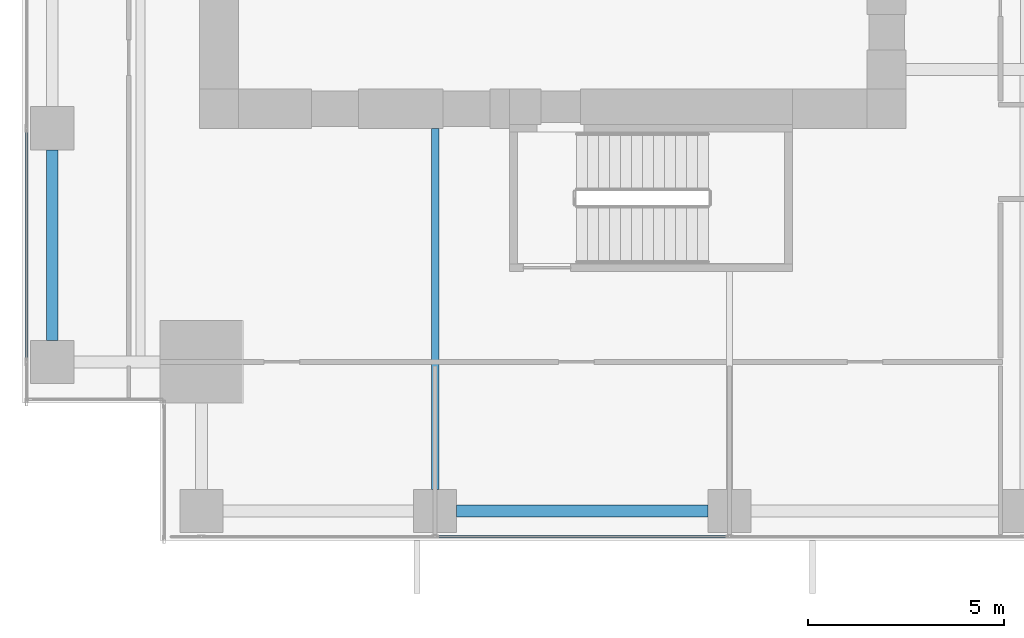
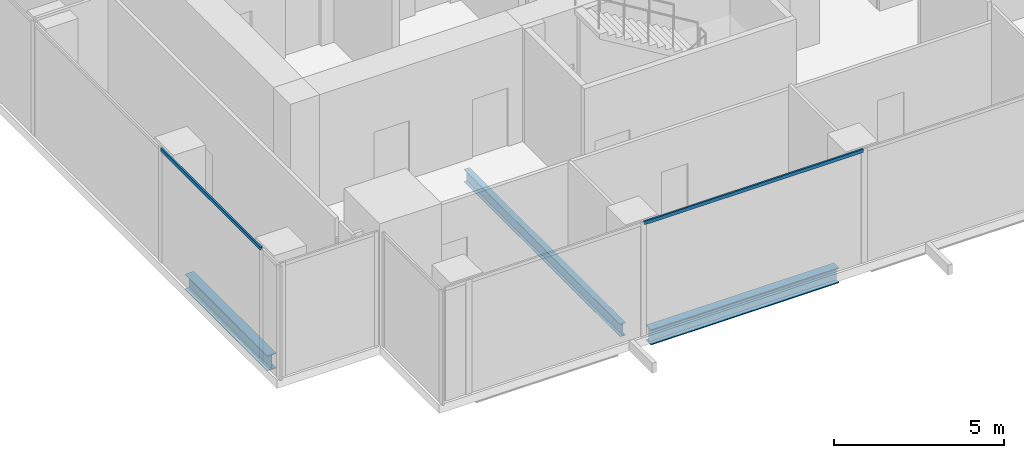
# One storey, part 3 of 34: 3 beams, 2 members, 2 elements without a shape of their own.
"""IFC4 building model written with IfcOpenShell, lengths in metres."""

from ifc_helpers import new_model, si_unit, direction, frame, origin, origin_2d, place, context, subcontext, project, spatial, hollow_rectangle, i_section, extrude, source, transform, mapped, material, material_profile, profile_set, type_object, element, aggregate, save


model = new_model("IFC4")

# Units and contexts
model_context = context("Model", 3, precision=1e-05, world=origin(), true_north=direction((0.0, 1.0)))
body_context = subcontext(model_context, "Body", "Model", "MODEL_VIEW")
ifc_project = project(units=[si_unit("LENGTHUNIT", "METRE"), si_unit("AREAUNIT", "SQUARE_METRE"), si_unit("VOLUMEUNIT", "CUBIC_METRE"), si_unit("PLANEANGLEUNIT", "RADIAN"), si_unit("MASSUNIT", "GRAM", prefix="KILO")], contexts=[model_context])

# Site, building, storey
site_placement = place(None, origin())
site = spatial("IfcSite", under=ifc_project, at=site_placement, CompositionType="ELEMENT")
building_placement = place(site_placement, origin())
building = spatial("IfcBuilding", under=site, at=building_placement, Name="Khomas Fold Tower", CompositionType="ELEMENT")
storey_placement = place(building_placement, frame((0.0, 0.0, 110.300048828125)))
storey = spatial("IfcBuildingStorey", under=building, at=storey_placement, Name="L23", CompositionType="ELEMENT", Elevation=110.300048828125)

# Beams
ifc_material_1 = material(Name="Steel S355", Category="steel")
ifc_material_profile_1 = material_profile(ifc_material_1, i_section(OverallWidth=0.300048828125, OverallDepth=0.550048828125, WebThickness=0.014892578125, FlangeThickness=0.029052734375, at=origin_2d()), Name="HE 550 B")
ifc_profile_set_1 = profile_set([ifc_material_profile_1], Name="Steel S355")
beam_type_1 = type_object("IfcBeamType", Name="HE 550 B spandrel SB2", PredefinedType="SPANDREL", material=ifc_profile_set_1)
shared_shape_1 = source(origin(), body_context, "Body", "SweptSolid", [
    extrude(i_section(OverallWidth=0.300048828125, OverallDepth=0.550048828125, WebThickness=0.014892578125, FlangeThickness=0.029052734375, at=origin_2d()), origin(), (0.0, 0.0, 1.0), 4.849853515625),
])
beam_1_placement = place(storey_placement, frame((2.25, 6.60009765625, -0.574951171875), z_axis=(0.0, 1.0, 0.0), x_axis=(-1.0, 0.0, 0.0)))
element("IfcBeam", 1, at=beam_1_placement, inside=storey, type_object=beam_type_1, Name="SB2", PredefinedType="SPANDREL", context=body_context, shape_type="MappedRepresentation", body=[
    mapped(shared_shape_1, transform((0.0, 0.0, 0.0))),
])
shared_shape_2 = source(origin(), body_context, "Body", "SweptSolid", [
    extrude(i_section(OverallWidth=0.300048828125, OverallDepth=0.550048828125, WebThickness=0.014892578125, FlangeThickness=0.029052734375, at=origin_2d()), origin(), (0.0, 0.0, 1.0), 6.39990234375),
])
beam_2_placement = place(storey_placement, frame((12.550048828125, 2.25, -0.574951171875), z_axis=(1.0, 0.0, 0.0), x_axis=(0.0, 1.0, 0.0)))
element("IfcBeam", 2, at=beam_2_placement, inside=storey, type_object=beam_type_1, Name="SB2", PredefinedType="SPANDREL", context=body_context, shape_type="MappedRepresentation", body=[
    mapped(shared_shape_2, transform((0.0, 0.0, 0.0))),
])
ifc_material_2 = material(Name="Steel S355", Category="steel")
ifc_material_profile_2 = material_profile(ifc_material_2, i_section(OverallWidth=0.18994140625, OverallDepth=0.449951171875, WebThickness=0.009521484375, FlangeThickness=0.0146484375, at=origin_2d()), Name="IPE 450")
ifc_profile_set_2 = profile_set([ifc_material_profile_2], Name="Steel S355")
beam_type_2 = type_object("IfcBeamType", Name="IPE 450 beam JB4", PredefinedType="BEAM", material=ifc_profile_set_2)
shared_shape_3 = source(origin(), body_context, "Body", "SweptSolid", [
    extrude(i_section(OverallWidth=0.18994140625, OverallDepth=0.449951171875, WebThickness=0.009521484375, FlangeThickness=0.0146484375, at=origin_2d()), origin(), (0.0, 0.0, 1.0), 9.199951171875),
])
beam_3_placement = place(storey_placement, frame((12.0, 2.800048828125, -0.525146484375), z_axis=(0.0, 1.0, 0.0), x_axis=(-1.0, 0.0, 0.0)))
element("IfcBeam", 3, at=beam_3_placement, inside=storey, type_object=beam_type_2, Name="JB4", PredefinedType="BEAM", context=body_context, shape_type="MappedRepresentation", body=[
    mapped(shared_shape_3, transform((0.0, 0.0, 0.0))),
])

# Curtain wall, member
ifc_material_3 = material(Name="Aluminium framed double glazing", Category="aluminium")
curtain_wall_type = type_object("IfcCurtainWallType", Name="SK-Unitised clear-glass wall, growing floors CW1", PredefinedType="NOTDEFINED", material=ifc_material_3)
curtain_wall_1_placement = place(storey_placement, origin())
curtain_wall_1 = element("IfcCurtainWall", 4, at=curtain_wall_1_placement, inside=storey, type_object=curtain_wall_type, Name="CW1 run L23 00-0", PredefinedType="NOTDEFINED")
ifc_material_4 = material(Name="Aluminium", Category="aluminium")
ifc_material_profile_3 = material_profile(ifc_material_4, hollow_rectangle(XDim=0.06005859375, YDim=0.1201171875, WallThickness=0.00390625, at=origin_2d()), Name="SK-Unitised clear-glass wall, growing floors transom CW1-T")
ifc_profile_set_3 = profile_set([ifc_material_profile_3], Name="Aluminium")
member_type = type_object("IfcMemberType", Name="SK-Unitised clear-glass wall, growing floors transom CW1-T", PredefinedType="USERDEFINED", material=ifc_profile_set_3)
shared_shape_4 = source(origin(), body_context, "Body", "SweptSolid", [
    extrude(hollow_rectangle(XDim=0.06005859375, YDim=0.1201171875, WallThickness=0.00390625, at=origin_2d()), origin(), (0.0, 0.0, 1.0), 7.43994140625),
])
member_1_placement = place(storey_placement, frame((12.030029296875, 1.60009765625, 4.0400390625), z_axis=(1.0, 0.0, 0.0), x_axis=(0.0, 1.0, 0.0)))
member_1 = element("IfcMember", 5, at=member_1_placement, type_object=member_type, Name="CW1 transom 3", ObjectType="TRANSOM", PredefinedType="USERDEFINED", context=body_context, shape_type="MappedRepresentation", body=[
    mapped(shared_shape_4, transform((0.0, 0.0, 0.0))),
])
aggregate(curtain_wall_1, [member_1])

curtain_wall_2_placement = place(storey_placement, origin())
curtain_wall_2 = element("IfcCurtainWall", 6, at=curtain_wall_2_placement, inside=storey, type_object=curtain_wall_type, Name="CW1 run L23 09-0", PredefinedType="NOTDEFINED")
shared_shape_5 = source(origin(), body_context, "Body", "SweptSolid", [
    extrude(hollow_rectangle(XDim=0.06005859375, YDim=0.1201171875, WallThickness=0.00390625, at=origin_2d()), origin(), (0.0, 0.0, 1.0), 5.889892578125),
])
member_2_placement = place(storey_placement, frame((1.60009765625, 11.969970703125, 4.0400390625), z_axis=(0.0, -1.0, 0.0), x_axis=(1.0, 0.0, 0.0)))
member_2 = element("IfcMember", 7, at=member_2_placement, type_object=member_type, Name="CW1 transom 7", ObjectType="TRANSOM", PredefinedType="USERDEFINED", context=body_context, shape_type="MappedRepresentation", body=[
    mapped(shared_shape_5, transform((0.0, 0.0, 0.0))),
])
aggregate(curtain_wall_2, [member_2])

save(model, "model.ifc")
